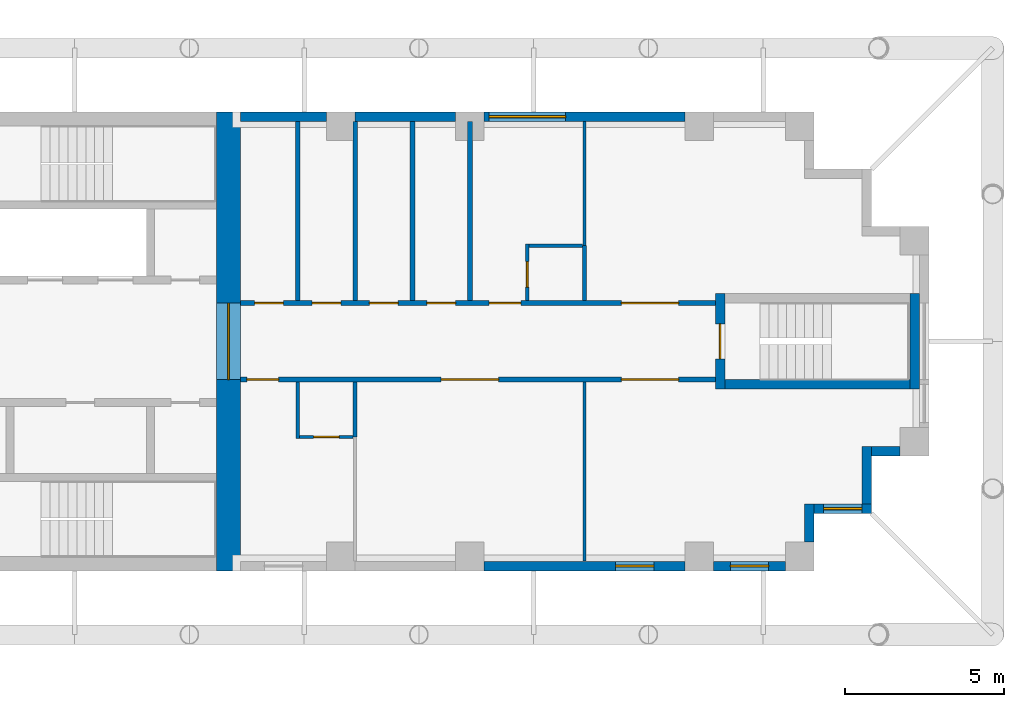
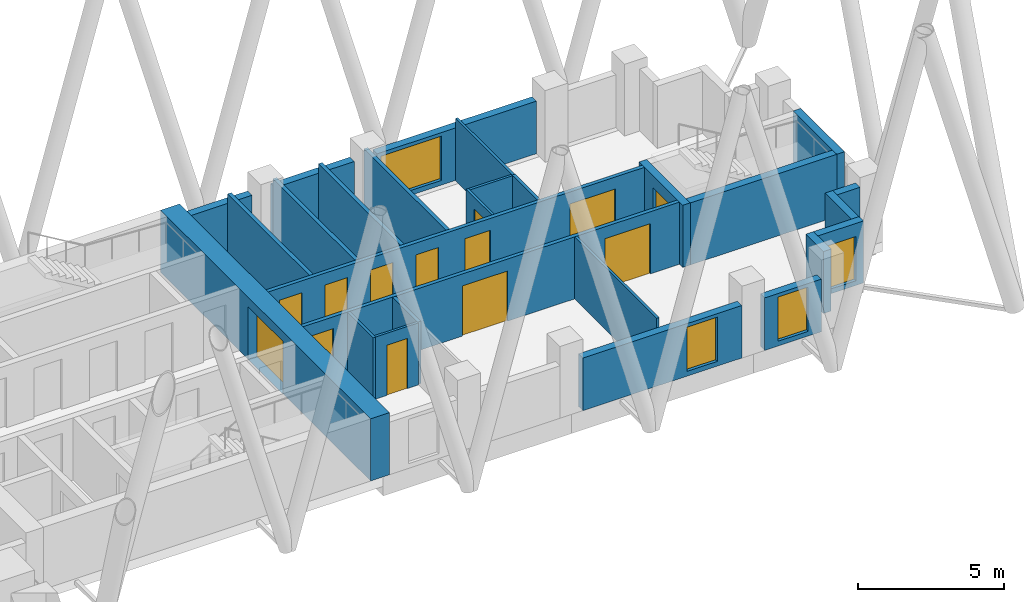
# One storey, part 9 of 13: 27 walls, 13 doors, 4 windows, 17 openings.
"""IFC4 building model written with IfcOpenShell, lengths in metres."""

from ifc_helpers import new_model, si_unit, direction, frame, frame_2d, origin, place, context, subcontext, project, spatial, rectangle, extrude, material, layer, layer_set, type_object, element, fill, save


model = new_model("IFC4")

# Units and contexts
model_context = context("Model", 3, precision=1e-05, world=origin(), true_north=direction((0.0, 1.0)))
body_context = subcontext(model_context, "Body", "Model", "MODEL_VIEW")
ifc_project = project(units=[si_unit("LENGTHUNIT", "METRE"), si_unit("AREAUNIT", "SQUARE_METRE"), si_unit("VOLUMEUNIT", "CUBIC_METRE"), si_unit("PLANEANGLEUNIT", "RADIAN"), si_unit("MASSUNIT", "GRAM", prefix="KILO")], contexts=[model_context])

# Site, building, storey
site_placement = place(None, origin())
site = spatial("IfcSite", under=ifc_project, at=site_placement, CompositionType="ELEMENT")
building_placement = place(site_placement, origin())
building = spatial("IfcBuilding", under=site, at=building_placement, Name="Fustian Cross Tower", CompositionType="ELEMENT")
storey_placement = place(building_placement, frame((0.0, 0.0, 153.300048828125)))
storey = spatial("IfcBuildingStorey", under=building, at=storey_placement, Name="L48", CompositionType="ELEMENT", Elevation=153.300048828125)

# Wall, openings, doors
ifc_material_1 = material(Name="Plasterboard on steel stud", Category="steel")
ifc_layer_1 = layer(ifc_material_1, 0.14990234375)
ifc_layer_set_1 = layer_set([ifc_layer_1], Name="Plasterboard on steel stud")
wall_type_1 = type_object("IfcWallType", Name="COMPARTMENT WALL 150 EI 60", PredefinedType="PARTITIONING", material=ifc_layer_set_1)
wall_1_placement = place(storey_placement, frame((21.60009765625, -1.199951171875, 0.0), z_axis=(0.0, 0.0, 1.0), x_axis=(1.0, 0.0, 0.0)))
wall_1 = element("IfcWall", 1, at=wall_1_placement, inside=storey, type_object=wall_type_1, Name="Partition 55", PredefinedType="PARTITIONING", context=body_context, shape_type="SweptSolid", body=[
    extrude(rectangle(XDim=14.89990234375, YDim=0.14990234375, at=frame_2d((7.449951171875, 0.0))), origin(), (0.0, 0.0, 1.0), 2.599853515625),
])
opening_1_placement = place(wall_1_placement, frame((0.199951171875, 0.0, 0.0)))
opening_1 = element("IfcOpeningElement", 2, at=opening_1_placement, cuts=wall_1, Name="Opening D21014", PredefinedType="OPENING", context=body_context, shape_type="SweptSolid", body=[
    extrude(rectangle(XDim=1.0, YDim=2.10009765625, at=frame_2d((0.5, 1.050048828125))), frame((0.0, 0.0849609375, 0.0), z_axis=(0.0, -1.0, 0.0), x_axis=(1.0, 0.0, 0.0)), (0.0, 0.0, 1.0), 0.169921875),
])
opening_2_placement = place(wall_1_placement, frame((6.300048828125, 0.0, 0.0)))
opening_2 = element("IfcOpeningElement", 3, at=opening_2_placement, cuts=wall_1, Name="Opening D21015", PredefinedType="OPENING", context=body_context, shape_type="SweptSolid", body=[
    extrude(rectangle(XDim=1.800048828125, YDim=2.10009765625, at=frame_2d((0.89990234375, 1.050048828125))), frame((0.0, 0.0849609375, 0.0), z_axis=(0.0, -1.0, 0.0), x_axis=(1.0, 0.0, 0.0)), (0.0, 0.0, 1.0), 0.169921875),
])
opening_3_placement = place(wall_1_placement, frame((11.949951171875, 0.0, 0.0)))
opening_3 = element("IfcOpeningElement", 4, at=opening_3_placement, cuts=wall_1, Name="Opening D21016", PredefinedType="OPENING", context=body_context, shape_type="SweptSolid", body=[
    extrude(rectangle(XDim=1.800048828125, YDim=2.10009765625, at=frame_2d((0.89990234375, 1.050048828125))), frame((0.0, 0.0849609375, 0.0), z_axis=(0.0, -1.0, 0.0), x_axis=(1.0, 0.0, 0.0)), (0.0, 0.0, 1.0), 0.169921875),
])
ifc_material_2 = material(Name="Timber fire door set", Category="wood")
door_type_1 = type_object("IfcDoorType", Name="FIRE DOUBLE DOOR 1800 FD30S", OperationType="DOUBLE_DOOR_DOUBLE_SWING", PredefinedType="DOOR", material=ifc_material_2)
door_1_placement = place(opening_2_placement, origin())
door_1 = element("IfcDoor", 5, at=door_1_placement, inside=storey, type_object=door_type_1, Name="Door D21015", OperationType="DOUBLE_DOOR_DOUBLE_SWING", OverallHeight=2.10009765625, OverallWidth=1.800048828125, PredefinedType="DOOR", context=body_context, shape_type="SweptSolid", body=[
    extrude(rectangle(XDim=1.800048828125, YDim=2.10009765625, at=frame_2d((0.89990234375, 1.050048828125))), frame((0.0, 0.02490234375, 0.0), z_axis=(0.0, -1.0, 0.0), x_axis=(1.0, 0.0, 0.0)), (0.0, 0.0, 1.0), 0.050048828125),
])
fill(opening_2, door_1)
door_2_placement = place(opening_3_placement, origin())
door_2 = element("IfcDoor", 6, at=door_2_placement, inside=storey, type_object=door_type_1, Name="Door D21016", OperationType="DOUBLE_DOOR_DOUBLE_SWING", OverallHeight=2.10009765625, OverallWidth=1.800048828125, PredefinedType="DOOR", context=body_context, shape_type="SweptSolid", body=[
    extrude(rectangle(XDim=1.800048828125, YDim=2.10009765625, at=frame_2d((0.89990234375, 1.050048828125))), frame((0.0, 0.02490234375, 0.0), z_axis=(0.0, -1.0, 0.0), x_axis=(1.0, 0.0, 0.0)), (0.0, 0.0, 1.0), 0.050048828125),
])
fill(opening_3, door_2)
ifc_material_3 = material(Name="Timber fire door set", Category="wood")
door_type_2 = type_object("IfcDoorType", Name="FIRE SWING DOOR 1000 FD30S", OperationType="SINGLE_SWING_LEFT", PredefinedType="DOOR", material=ifc_material_3)
door_3_placement = place(opening_1_placement, frame((1.0, 0.0, 0.0), z_axis=(0.0, 0.0, 1.0), x_axis=(-1.0, 0.0, 0.0)))
door_3 = element("IfcDoor", 7, at=door_3_placement, inside=storey, type_object=door_type_2, Name="Door D21014", OperationType="SINGLE_SWING_RIGHT", OverallHeight=2.10009765625, OverallWidth=1.0, PredefinedType="DOOR", context=body_context, shape_type="SweptSolid", body=[
    extrude(rectangle(XDim=1.0, YDim=2.10009765625, at=frame_2d((0.5, 1.050048828125))), frame((0.0, 0.02490234375, 0.0), z_axis=(0.0, -1.0, 0.0), x_axis=(1.0, 0.0, 0.0)), (0.0, 0.0, 1.0), 0.050048828125),
])
fill(opening_1, door_3)

wall_2_placement = place(storey_placement, frame((21.60009765625, 1.199951171875, 0.0), z_axis=(0.0, 0.0, 1.0), x_axis=(1.0, 0.0, 0.0)))
wall_2 = element("IfcWall", 8, at=wall_2_placement, inside=storey, type_object=wall_type_1, Name="Partition 56", PredefinedType="PARTITIONING", context=body_context, shape_type="SweptSolid", body=[
    extrude(rectangle(XDim=14.89990234375, YDim=0.14990234375, at=frame_2d((7.449951171875, 0.0))), origin(), (0.0, 0.0, 1.0), 2.599853515625),
])
opening_4_placement = place(wall_2_placement, frame((0.449951171875, 0.0, 0.0)))
opening_4 = element("IfcOpeningElement", 9, at=opening_4_placement, cuts=wall_2, Name="Opening D21006", PredefinedType="OPENING", context=body_context, shape_type="SweptSolid", body=[
    extrude(rectangle(XDim=0.89990234375, YDim=2.10009765625, at=frame_2d((0.449951171875, 1.050048828125))), frame((0.0, 0.0849609375, 0.0), z_axis=(0.0, -1.0, 0.0), x_axis=(1.0, 0.0, 0.0)), (0.0, 0.0, 1.0), 0.169921875),
])
opening_5_placement = place(wall_2_placement, frame((2.25, 0.0, 0.0)))
opening_5 = element("IfcOpeningElement", 10, at=opening_5_placement, cuts=wall_2, Name="Opening D21007", PredefinedType="OPENING", context=body_context, shape_type="SweptSolid", body=[
    extrude(rectangle(XDim=0.89990234375, YDim=2.10009765625, at=frame_2d((0.449951171875, 1.050048828125))), frame((0.0, 0.0849609375, 0.0), z_axis=(0.0, -1.0, 0.0), x_axis=(1.0, 0.0, 0.0)), (0.0, 0.0, 1.0), 0.169921875),
])
opening_6_placement = place(wall_2_placement, frame((4.050048828125, 0.0, 0.0)))
opening_6 = element("IfcOpeningElement", 11, at=opening_6_placement, cuts=wall_2, Name="Opening D21008", PredefinedType="OPENING", context=body_context, shape_type="SweptSolid", body=[
    extrude(rectangle(XDim=0.89990234375, YDim=2.10009765625, at=frame_2d((0.449951171875, 1.050048828125))), frame((0.0, 0.0849609375, 0.0), z_axis=(0.0, -1.0, 0.0), x_axis=(1.0, 0.0, 0.0)), (0.0, 0.0, 1.0), 0.169921875),
])
opening_7_placement = place(wall_2_placement, frame((5.85009765625, 0.0, 0.0)))
opening_7 = element("IfcOpeningElement", 12, at=opening_7_placement, cuts=wall_2, Name="Opening D21009", PredefinedType="OPENING", context=body_context, shape_type="SweptSolid", body=[
    extrude(rectangle(XDim=0.89990234375, YDim=2.10009765625, at=frame_2d((0.449951171875, 1.050048828125))), frame((0.0, 0.0849609375, 0.0), z_axis=(0.0, -1.0, 0.0), x_axis=(1.0, 0.0, 0.0)), (0.0, 0.0, 1.0), 0.169921875),
])
opening_8_placement = place(wall_2_placement, frame((7.800048828125, 0.0, 0.0)))
opening_8 = element("IfcOpeningElement", 13, at=opening_8_placement, cuts=wall_2, Name="Opening D21011", PredefinedType="OPENING", context=body_context, shape_type="SweptSolid", body=[
    extrude(rectangle(XDim=1.0, YDim=2.10009765625, at=frame_2d((0.5, 1.050048828125))), frame((0.0, 0.0849609375, 0.0), z_axis=(0.0, -1.0, 0.0), x_axis=(1.0, 0.0, 0.0)), (0.0, 0.0, 1.0), 0.169921875),
])
opening_9_placement = place(wall_2_placement, frame((11.949951171875, 0.0, 0.0)))
opening_9 = element("IfcOpeningElement", 14, at=opening_9_placement, cuts=wall_2, Name="Opening D21012", PredefinedType="OPENING", context=body_context, shape_type="SweptSolid", body=[
    extrude(rectangle(XDim=1.800048828125, YDim=2.10009765625, at=frame_2d((0.89990234375, 1.050048828125))), frame((0.0, 0.0849609375, 0.0), z_axis=(0.0, -1.0, 0.0), x_axis=(1.0, 0.0, 0.0)), (0.0, 0.0, 1.0), 0.169921875),
])
door_4_placement = place(opening_9_placement, frame((1.800048828125, 0.0, 0.0), z_axis=(0.0, 0.0, 1.0), x_axis=(-1.0, 0.0, 0.0)))
door_4 = element("IfcDoor", 15, at=door_4_placement, inside=storey, type_object=door_type_1, Name="Door D21012", OperationType="DOUBLE_DOOR_DOUBLE_SWING", OverallHeight=2.10009765625, OverallWidth=1.800048828125, PredefinedType="DOOR", context=body_context, shape_type="SweptSolid", body=[
    extrude(rectangle(XDim=1.800048828125, YDim=2.10009765625, at=frame_2d((0.89990234375, 1.050048828125))), frame((0.0, 0.02490234375, 0.0), z_axis=(0.0, -1.0, 0.0), x_axis=(1.0, 0.0, 0.0)), (0.0, 0.0, 1.0), 0.050048828125),
])
fill(opening_9, door_4)
door_5_placement = place(opening_8_placement, origin())
door_5 = element("IfcDoor", 16, at=door_5_placement, inside=storey, type_object=door_type_2, Name="Door D21011", OperationType="SINGLE_SWING_RIGHT", OverallHeight=2.10009765625, OverallWidth=1.0, PredefinedType="DOOR", context=body_context, shape_type="SweptSolid", body=[
    extrude(rectangle(XDim=1.0, YDim=2.10009765625, at=frame_2d((0.5, 1.050048828125))), frame((0.0, 0.02490234375, 0.0), z_axis=(0.0, -1.0, 0.0), x_axis=(1.0, 0.0, 0.0)), (0.0, 0.0, 1.0), 0.050048828125),
])
fill(opening_8, door_5)
ifc_material_4 = material(Name="Timber fire door set", Category="wood")
door_type_3 = type_object("IfcDoorType", Name="FIRE SWING DOOR 900 FD30S", OperationType="SINGLE_SWING_LEFT", PredefinedType="DOOR", material=ifc_material_4)
door_6_placement = place(opening_4_placement, origin())
door_6 = element("IfcDoor", 17, at=door_6_placement, inside=storey, type_object=door_type_3, Name="Door D21006", OperationType="SINGLE_SWING_RIGHT", OverallHeight=2.10009765625, OverallWidth=0.89990234375, PredefinedType="DOOR", context=body_context, shape_type="SweptSolid", body=[
    extrude(rectangle(XDim=0.89990234375, YDim=2.10009765625, at=frame_2d((0.449951171875, 1.050048828125))), frame((0.0, 0.02490234375, 0.0), z_axis=(0.0, -1.0, 0.0), x_axis=(1.0, 0.0, 0.0)), (0.0, 0.0, 1.0), 0.050048828125),
])
fill(opening_4, door_6)
door_7_placement = place(opening_5_placement, frame((0.89990234375, 0.0, 0.0), z_axis=(0.0, 0.0, 1.0), x_axis=(-1.0, 0.0, 0.0)))
door_7 = element("IfcDoor", 18, at=door_7_placement, inside=storey, type_object=door_type_3, Name="Door D21007", OperationType="SINGLE_SWING_RIGHT", OverallHeight=2.10009765625, OverallWidth=0.89990234375, PredefinedType="DOOR", context=body_context, shape_type="SweptSolid", body=[
    extrude(rectangle(XDim=0.89990234375, YDim=2.10009765625, at=frame_2d((0.449951171875, 1.050048828125))), frame((0.0, 0.02490234375, 0.0), z_axis=(0.0, -1.0, 0.0), x_axis=(1.0, 0.0, 0.0)), (0.0, 0.0, 1.0), 0.050048828125),
])
fill(opening_5, door_7)
door_8_placement = place(opening_6_placement, frame((0.89990234375, 0.0, 0.0), z_axis=(0.0, 0.0, 1.0), x_axis=(-1.0, 0.0, 0.0)))
door_8 = element("IfcDoor", 19, at=door_8_placement, inside=storey, type_object=door_type_3, Name="Door D21008", OperationType="SINGLE_SWING_RIGHT", OverallHeight=2.10009765625, OverallWidth=0.89990234375, PredefinedType="DOOR", context=body_context, shape_type="SweptSolid", body=[
    extrude(rectangle(XDim=0.89990234375, YDim=2.10009765625, at=frame_2d((0.449951171875, 1.050048828125))), frame((0.0, 0.02490234375, 0.0), z_axis=(0.0, -1.0, 0.0), x_axis=(1.0, 0.0, 0.0)), (0.0, 0.0, 1.0), 0.050048828125),
])
fill(opening_6, door_8)
door_9_placement = place(opening_7_placement, origin())
door_9 = element("IfcDoor", 20, at=door_9_placement, inside=storey, type_object=door_type_3, Name="Door D21009", OperationType="SINGLE_SWING_RIGHT", OverallHeight=2.10009765625, OverallWidth=0.89990234375, PredefinedType="DOOR", context=body_context, shape_type="SweptSolid", body=[
    extrude(rectangle(XDim=0.89990234375, YDim=2.10009765625, at=frame_2d((0.449951171875, 1.050048828125))), frame((0.0, 0.02490234375, 0.0), z_axis=(0.0, -1.0, 0.0), x_axis=(1.0, 0.0, 0.0)), (0.0, 0.0, 1.0), 0.050048828125),
])
fill(opening_7, door_9)

# Walls
for number, where, z_axis, x_axis, name in (
    (21, (23.39990234375, 1.27490234375, 0.0), (0.0, 0.0, 1.0), (0.0, 1.0, 0.0), "Partition 59"),
    (22, (25.199951171875, 1.27490234375, 0.0), (0.0, 0.0, 1.0), (0.0, 1.0, 0.0), "Partition 62"),
    (23, (27.0, 1.27490234375, 0.0), (0.0, 0.0, 1.0), (0.0, 1.0, 0.0), "Partition 63"),
    (24, (28.800048828125, 1.27490234375, 0.0), (0.0, 0.0, 1.0), (0.0, 1.0, 0.0), "Partition 64"),
):
    element("IfcWall", number, at=place(storey_placement, frame(where, z_axis=z_axis, x_axis=x_axis)), inside=storey, type_object=wall_type_1, Name=name, PredefinedType="PARTITIONING", context=body_context, shape_type="SweptSolid", body=[
        extrude(rectangle(XDim=5.625, YDim=0.14990234375, at=frame_2d((2.8125, 0.0))), origin(), (0.0, 0.0, 1.0), 2.599853515625),
    ])

# Wall, opening, door
ifc_material_5 = material(Name="Concrete C60/75", Category="concrete")
ifc_layer_2 = layer(ifc_material_5, 0.75)
ifc_layer_set_2 = layer_set([ifc_layer_2], Name="Concrete C60/75")
wall_type_2 = type_object("IfcWallType", Name="CORE END WALL 750 C60/75", PredefinedType="SHEAR", material=ifc_layer_set_2)
wall_3_placement = place(storey_placement, frame((21.22509765625, -7.199951171875, 0.0), z_axis=(0.0, 0.0, 1.0), x_axis=(0.0, 1.0, 0.0)))
wall_3 = element("IfcWall", 25, at=wall_3_placement, inside=storey, type_object=wall_type_2, Name="Core end wall", PredefinedType="SHEAR", context=body_context, shape_type="SweptSolid", body=[
    extrude(rectangle(XDim=14.39990234375, YDim=0.75, at=frame_2d((7.199951171875, 0.0))), origin(), (0.0, 0.0, 1.0), 2.599853515625),
])
opening_10_placement = place(wall_3_placement, frame((6.0, 0.0, 0.0)))
opening_10 = element("IfcOpeningElement", 26, at=opening_10_placement, cuts=wall_3, Name="Opening CD-16-13", PredefinedType="OPENING", context=body_context, shape_type="SweptSolid", body=[
    extrude(rectangle(XDim=2.39990234375, YDim=2.199951171875, at=frame_2d((1.199951171875, 1.10009765625))), frame((0.0, 0.385009765625, 0.0), z_axis=(0.0, -1.0, 0.0), x_axis=(1.0, 0.0, 0.0)), (0.0, 0.0, 1.0), 0.77001953125),
])
ifc_material_6 = material(Name="Steel", Category="steel")
door_type_4 = type_object("IfcDoorType", Name="FIRE DOOR FD30S DOUBLE 2400X2200", OperationType="DOUBLE_DOOR_DOUBLE_SWING", PredefinedType="DOOR", material=ifc_material_6)
door_10_placement = place(opening_10_placement, origin())
door_10 = element("IfcDoor", 27, at=door_10_placement, inside=storey, type_object=door_type_4, Name="Core door CD-16-13", OperationType="DOUBLE_DOOR_DOUBLE_SWING", OverallHeight=2.199951171875, OverallWidth=2.39990234375, PredefinedType="DOOR", context=body_context, shape_type="SweptSolid", body=[
    extrude(rectangle(XDim=2.39990234375, YDim=2.199951171875, at=frame_2d((1.199951171875, 1.10009765625))), frame((0.0, 0.02490234375, 0.0), z_axis=(0.0, -1.0, 0.0), x_axis=(1.0, 0.0, 0.0)), (0.0, 0.0, 1.0), 0.050048828125),
])
fill(opening_10, door_10)

# Wall
ifc_material_7 = material(Name="Plasterboard on steel stud", Category="steel")
ifc_layer_3 = layer(ifc_material_7, 0.10009765625)
ifc_layer_set_3 = layer_set([ifc_layer_3], Name="Plasterboard on steel stud")
wall_type_3 = type_object("IfcWallType", Name="PARTITION 100 STUD", PredefinedType="PARTITIONING", material=ifc_layer_set_3)
wall_4_placement = place(storey_placement, frame((23.39990234375, -3.050048828125, 0.0), z_axis=(0.0, 0.0, 1.0), x_axis=(0.0, 1.0, 0.0)))
element("IfcWall", 28, at=wall_4_placement, inside=storey, type_object=wall_type_3, Name="Partition 57", PredefinedType="PARTITIONING", context=body_context, shape_type="SweptSolid", body=[
    extrude(rectangle(XDim=1.775146484375, YDim=0.10009765625, at=frame_2d((0.8876953125, 0.0))), origin(), (0.0, 0.0, 1.0), 2.599853515625),
])

# Wall, opening, door
wall_5_placement = place(storey_placement, frame((23.449951171875, -3.0, 0.0), z_axis=(0.0, 0.0, 1.0), x_axis=(1.0, 0.0, 0.0)))
wall_5 = element("IfcWall", 29, at=wall_5_placement, inside=storey, type_object=wall_type_3, Name="Partition 58", PredefinedType="PARTITIONING", context=body_context, shape_type="SweptSolid", body=[
    extrude(rectangle(XDim=1.6875, YDim=0.10009765625, at=frame_2d((0.84375, 0.0))), origin(), (0.0, 0.0, 1.0), 2.599853515625),
])
opening_11_placement = place(wall_5_placement, frame((0.449951171875, 0.0, 0.0)))
opening_11 = element("IfcOpeningElement", 30, at=opening_11_placement, cuts=wall_5, Name="Opening D21013", PredefinedType="OPENING", context=body_context, shape_type="SweptSolid", body=[
    extrude(rectangle(XDim=0.800048828125, YDim=2.10009765625, at=frame_2d((0.39990234375, 1.050048828125))), frame((0.0, 0.06005859375, 0.0), z_axis=(0.0, -1.0, 0.0), x_axis=(1.0, 0.0, 0.0)), (0.0, 0.0, 1.0), 0.1201171875),
])
ifc_material_8 = material(Name="Painted timber", Category="wood")
door_type_5 = type_object("IfcDoorType", Name="SWING DOOR 800", OperationType="SINGLE_SWING_LEFT", PredefinedType="DOOR", material=ifc_material_8)
door_11_placement = place(opening_11_placement, origin())
door_11 = element("IfcDoor", 31, at=door_11_placement, inside=storey, type_object=door_type_5, Name="Door D21013", OperationType="SINGLE_SWING_RIGHT", OverallHeight=2.10009765625, OverallWidth=0.800048828125, PredefinedType="DOOR", context=body_context, shape_type="SweptSolid", body=[
    extrude(rectangle(XDim=0.800048828125, YDim=2.10009765625, at=frame_2d((0.39990234375, 1.050048828125))), frame((0.0, 0.02490234375, 0.0), z_axis=(0.0, -1.0, 0.0), x_axis=(1.0, 0.0, 0.0)), (0.0, 0.0, 1.0), 0.050048828125),
])
fill(opening_11, door_11)

wall_6_placement = place(storey_placement, frame((30.60009765625, 1.27490234375, 0.0), z_axis=(0.0, 0.0, 1.0), x_axis=(0.0, 1.0, 0.0)))
wall_6 = element("IfcWall", 32, at=wall_6_placement, inside=storey, type_object=wall_type_3, Name="Partition 65", PredefinedType="PARTITIONING", context=body_context, shape_type="SweptSolid", body=[
    extrude(rectangle(XDim=1.775146484375, YDim=0.10009765625, at=frame_2d((0.8876953125, 0.0))), origin(), (0.0, 0.0, 1.0), 2.599853515625),
])
opening_12_placement = place(wall_6_placement, frame((0.425048828125, 0.0, 0.0)))
opening_12 = element("IfcOpeningElement", 33, at=opening_12_placement, cuts=wall_6, Name="Opening D21010", PredefinedType="OPENING", context=body_context, shape_type="SweptSolid", body=[
    extrude(rectangle(XDim=0.800048828125, YDim=2.10009765625, at=frame_2d((0.39990234375, 1.050048828125))), frame((0.0, 0.06005859375, 0.0), z_axis=(0.0, -1.0, 0.0), x_axis=(1.0, 0.0, 0.0)), (0.0, 0.0, 1.0), 0.1201171875),
])
door_12_placement = place(opening_12_placement, frame((0.800048828125, 0.0, 0.0), z_axis=(0.0, 0.0, 1.0), x_axis=(-1.0, 0.0, 0.0)))
door_12 = element("IfcDoor", 34, at=door_12_placement, inside=storey, type_object=door_type_5, Name="Door D21010", OperationType="SINGLE_SWING_LEFT", OverallHeight=2.10009765625, OverallWidth=0.800048828125, PredefinedType="DOOR", context=body_context, shape_type="SweptSolid", body=[
    extrude(rectangle(XDim=0.800048828125, YDim=2.10009765625, at=frame_2d((0.39990234375, 1.050048828125))), frame((0.0, 0.02490234375, 0.0), z_axis=(0.0, -1.0, 0.0), x_axis=(1.0, 0.0, 0.0)), (0.0, 0.0, 1.0), 0.050048828125),
])
fill(opening_12, door_12)

# Walls
wall_7_placement = place(storey_placement, frame((30.64990234375, 3.0, 0.0), z_axis=(0.0, 0.0, 1.0), x_axis=(1.0, 0.0, 0.0)))
element("IfcWall", 35, at=wall_7_placement, inside=storey, type_object=wall_type_3, Name="Partition 66", PredefinedType="PARTITIONING", context=body_context, shape_type="SweptSolid", body=[
    extrude(rectangle(XDim=1.6875, YDim=0.10009765625, at=frame_2d((0.84375, 0.0))), origin(), (0.0, 0.0, 1.0), 2.599853515625),
])
wall_8_placement = place(storey_placement, frame((32.39990234375, -6.89990234375, 0.0), z_axis=(0.0, 0.0, 1.0), x_axis=(0.0, 1.0, 0.0)))
element("IfcWall", 36, at=wall_8_placement, inside=storey, type_object=wall_type_3, Name="Partition 67", PredefinedType="PARTITIONING", context=body_context, shape_type="SweptSolid", body=[
    extrude(rectangle(XDim=5.625, YDim=0.10009765625, at=frame_2d((2.8125, 0.0))), origin(), (0.0, 0.0, 1.0), 2.599853515625),
])
wall_9_placement = place(storey_placement, frame((32.39990234375, 3.0, 0.0), z_axis=(0.0, 0.0, 1.0), x_axis=(0.0, 1.0, 0.0)))
element("IfcWall", 37, at=wall_9_placement, inside=storey, type_object=wall_type_3, Name="Partition 69", PredefinedType="PARTITIONING", context=body_context, shape_type="SweptSolid", body=[
    extrude(rectangle(XDim=3.89990234375, YDim=0.10009765625, at=frame_2d((1.949951171875, 0.0))), origin(), (0.0, 0.0, 1.0), 2.599853515625),
])

# Wall, opening, door
ifc_material_9 = material(Name="Concrete C50/60", Category="concrete")
ifc_layer_4 = layer(ifc_material_9, 0.300048828125)
ifc_layer_set_4 = layer_set([ifc_layer_4], Name="Concrete C50/60")
wall_type_4 = type_object("IfcWallType", Name="STAIR ENCLOSURE WALL 300 C50/60", PredefinedType="SHEAR", material=ifc_layer_set_4)
wall_10_placement = place(storey_placement, frame((36.64990234375, -1.5, 0.0), z_axis=(0.0, 0.0, 1.0), x_axis=(0.0, 1.0, 0.0)))
wall_10 = element("IfcWall", 38, at=wall_10_placement, inside=storey, type_object=wall_type_4, Name="Stair enclosure wall", PredefinedType="SHEAR", context=body_context, shape_type="SweptSolid", body=[
    extrude(rectangle(XDim=3.0, YDim=0.300048828125, at=frame_2d((1.5, 0.0))), origin(), (0.0, 0.0, 1.0), 2.599853515625),
])
opening_13_placement = place(wall_10_placement, frame((0.949951171875, 0.0, 0.0)))
opening_13 = element("IfcOpeningElement", 39, at=opening_13_placement, cuts=wall_10, Name="Opening CD-16-35", PredefinedType="OPENING", context=body_context, shape_type="SweptSolid", body=[
    extrude(rectangle(XDim=1.10009765625, YDim=2.10009765625, at=frame_2d((0.550048828125, 1.050048828125))), frame((0.0, 0.159912109375, 0.0), z_axis=(0.0, -1.0, 0.0), x_axis=(1.0, 0.0, 0.0)), (0.0, 0.0, 1.0), 0.320068359375),
])
ifc_material_10 = material(Name="Steel", Category="steel")
door_type_6 = type_object("IfcDoorType", Name="FIRE DOOR FD60S 1100X2100", OperationType="SINGLE_SWING_LEFT", PredefinedType="DOOR", material=ifc_material_10)
door_13_placement = place(opening_13_placement, frame((1.10009765625, 0.0, 0.0), z_axis=(0.0, 0.0, 1.0), x_axis=(-1.0, 0.0, 0.0)))
door_13 = element("IfcDoor", 40, at=door_13_placement, inside=storey, type_object=door_type_6, Name="Core door CD-16-35", OperationType="SINGLE_SWING_RIGHT", OverallHeight=2.10009765625, OverallWidth=1.10009765625, PredefinedType="DOOR", context=body_context, shape_type="SweptSolid", body=[
    extrude(rectangle(XDim=1.10009765625, YDim=2.10009765625, at=frame_2d((0.550048828125, 1.050048828125))), frame((0.0, 0.02490234375, 0.0), z_axis=(0.0, -1.0, 0.0), x_axis=(1.0, 0.0, 0.0)), (0.0, 0.0, 1.0), 0.050048828125),
])
fill(opening_13, door_13)

# Walls
wall_11_placement = place(storey_placement, frame((42.75, -1.5, 0.0), z_axis=(0.0, 0.0, 1.0), x_axis=(0.0, 1.0, 0.0)))
element("IfcWall", 41, at=wall_11_placement, inside=storey, type_object=wall_type_4, Name="Stair enclosure wall", PredefinedType="SHEAR", context=body_context, shape_type="SweptSolid", body=[
    extrude(rectangle(XDim=3.0, YDim=0.300048828125, at=frame_2d((1.5, 0.0))), origin(), (0.0, 0.0, 1.0), 2.599853515625),
])
wall_12_placement = place(storey_placement, frame((36.800048828125, -1.35009765625, 0.0), z_axis=(0.0, 0.0, 1.0), x_axis=(1.0, 0.0, 0.0)))
element("IfcWall", 42, at=wall_12_placement, inside=storey, type_object=wall_type_4, Name="Stair enclosure wall", PredefinedType="SHEAR", context=body_context, shape_type="SweptSolid", body=[
    extrude(rectangle(XDim=5.800048828125, YDim=0.300048828125, at=frame_2d((2.89990234375, 0.0))), origin(), (0.0, 0.0, 1.0), 2.599853515625),
])
ifc_material_11 = material(Name="Plasterboard on steel stud", Category="steel")
ifc_layer_5 = layer(ifc_material_11, 0.125)
ifc_layer_set_5 = layer_set([ifc_layer_5], Name="Plasterboard on steel stud")
wall_type_5 = type_object("IfcWallType", Name="WET WALL 125 STUD", PredefinedType="PARTITIONING", material=ifc_layer_set_5)
for number, where, z_axis, x_axis, name in (
    (43, (25.199951171875, -3.0, 0.0), (0.0, 0.0, 1.0), (0.0, 1.0, 0.0), "Partition 61"),
    (44, (32.39990234375, 1.27490234375, 0.0), (0.0, 0.0, 1.0), (0.0, 1.0, 0.0), "Partition 68"),
):
    element("IfcWall", number, at=place(storey_placement, frame(where, z_axis=z_axis, x_axis=x_axis)), inside=storey, type_object=wall_type_5, Name=name, PredefinedType="PARTITIONING", context=body_context, shape_type="SweptSolid", body=[
        extrude(rectangle(XDim=1.72509765625, YDim=0.125, at=frame_2d((0.862548828125, 0.0))), origin(), (0.0, 0.0, 1.0), 2.599853515625),
    ])

# Wall, opening, window
ifc_material_12 = material(Name="Dark aluminium cladding on insulated backing wall", Category="aluminium")
ifc_layer_6 = layer(ifc_material_12, 0.300048828125)
ifc_layer_set_6 = layer_set([ifc_layer_6], Name="Dark aluminium cladding on insulated backing wall")
wall_type_6 = type_object("IfcWallType", Name="XW1 EXTERNAL WALL 300", PredefinedType="SOLIDWALL", material=ifc_layer_set_6)
wall_13_placement = place(storey_placement, frame((29.25, -7.050048828125, 0.0), z_axis=(0.0, 0.0, 1.0), x_axis=(1.0, 0.0, 0.0)))
wall_13 = element("IfcWall", 45, at=wall_13_placement, inside=storey, type_object=wall_type_6, Name="External wall", PredefinedType="SOLIDWALL", context=body_context, shape_type="SweptSolid", body=[
    extrude(rectangle(XDim=6.300048828125, YDim=0.300048828125, at=frame_2d((3.14990234375, 0.0))), origin(), (0.0, 0.0, 1.0), 2.199951171875),
])
opening_14_placement = place(wall_13_placement, frame((4.125, 0.0, 0.199951171875)))
opening_14 = element("IfcOpeningElement", 46, at=opening_14_placement, cuts=wall_13, Name="Opening WN3", PredefinedType="OPENING", context=body_context, shape_type="SweptSolid", body=[
    extrude(rectangle(XDim=1.199951171875, YDim=1.85009765625, at=frame_2d((0.60009765625, 0.925048828125))), frame((0.0, 0.159912109375, 0.0), z_axis=(0.0, -1.0, 0.0), x_axis=(1.0, 0.0, 0.0)), (0.0, 0.0, 1.0), 0.320068359375),
])
ifc_material_13 = material(Name="Dark anodised aluminium and double glazing", Category="aluminium")
window_type_1 = type_object("IfcWindowType", Name="WN3 WINDOW 1200X1850", PartitioningType="SINGLE_PANEL", PredefinedType="WINDOW", material=ifc_material_13)
window_1_placement = place(opening_14_placement, origin())
window_1 = element("IfcWindow", 47, at=window_1_placement, inside=storey, type_object=window_type_1, Name="Window", OverallHeight=1.85009765625, OverallWidth=1.199951171875, PartitioningType="SINGLE_PANEL", PredefinedType="WINDOW", context=body_context, shape_type="SweptSolid", body=[
    extrude(rectangle(XDim=1.199951171875, YDim=1.85009765625, at=frame_2d((0.60009765625, 0.925048828125))), frame((0.0, 0.030029296875, 0.0), z_axis=(0.0, -1.0, 0.0), x_axis=(1.0, 0.0, 0.0)), (0.0, 0.0, 1.0), 0.06005859375),
])
fill(opening_14, window_1)

wall_14_placement = place(storey_placement, frame((36.449951171875, -7.050048828125, 0.0), z_axis=(0.0, 0.0, 1.0), x_axis=(1.0, 0.0, 0.0)))
wall_14 = element("IfcWall", 48, at=wall_14_placement, inside=storey, type_object=wall_type_6, Name="External wall", PredefinedType="SOLIDWALL", context=body_context, shape_type="SweptSolid", body=[
    extrude(rectangle(XDim=2.25, YDim=0.300048828125, at=frame_2d((1.125, 0.0))), origin(), (0.0, 0.0, 1.0), 2.199951171875),
])
opening_15_placement = place(wall_14_placement, frame((0.52490234375, 0.0, 0.199951171875)))
opening_15 = element("IfcOpeningElement", 49, at=opening_15_placement, cuts=wall_14, Name="Opening WN3", PredefinedType="OPENING", context=body_context, shape_type="SweptSolid", body=[
    extrude(rectangle(XDim=1.199951171875, YDim=1.85009765625, at=frame_2d((0.60009765625, 0.925048828125))), frame((0.0, 0.159912109375, 0.0), z_axis=(0.0, -1.0, 0.0), x_axis=(1.0, 0.0, 0.0)), (0.0, 0.0, 1.0), 0.320068359375),
])
window_2_placement = place(opening_15_placement, origin())
window_2 = element("IfcWindow", 50, at=window_2_placement, inside=storey, type_object=window_type_1, Name="Window", OverallHeight=1.85009765625, OverallWidth=1.199951171875, PartitioningType="SINGLE_PANEL", PredefinedType="WINDOW", context=body_context, shape_type="SweptSolid", body=[
    extrude(rectangle(XDim=1.199951171875, YDim=1.85009765625, at=frame_2d((0.60009765625, 0.925048828125))), frame((0.0, 0.030029296875, 0.0), z_axis=(0.0, -1.0, 0.0), x_axis=(1.0, 0.0, 0.0)), (0.0, 0.0, 1.0), 0.06005859375),
])
fill(opening_15, window_2)

# Wall
wall_15_placement = place(storey_placement, frame((39.449951171875, -6.300048828125, 0.0), z_axis=(0.0, 0.0, 1.0), x_axis=(0.0, 1.0, 0.0)))
element("IfcWall", 51, at=wall_15_placement, inside=storey, type_object=wall_type_6, Name="External wall", PredefinedType="SOLIDWALL", context=body_context, shape_type="SweptSolid", body=[
    extrude(rectangle(XDim=1.199951171875, YDim=0.300048828125, at=frame_2d((0.60009765625, 0.0))), origin(), (0.0, 0.0, 1.0), 2.599853515625),
])

# Wall, opening, window
wall_16_placement = place(storey_placement, frame((39.60009765625, -5.25, 0.0), z_axis=(0.0, 0.0, 1.0), x_axis=(1.0, 0.0, 0.0)))
wall_16 = element("IfcWall", 52, at=wall_16_placement, inside=storey, type_object=wall_type_6, Name="External wall", PredefinedType="SOLIDWALL", context=body_context, shape_type="SweptSolid", body=[
    extrude(rectangle(XDim=1.7998046875, YDim=0.300048828125, at=frame_2d((0.89990234375, 0.0))), origin(), (0.0, 0.0, 1.0), 2.599853515625),
])
opening_16_placement = place(wall_16_placement, frame((0.300048828125, 0.0, 0.199951171875)))
opening_16 = element("IfcOpeningElement", 53, at=opening_16_placement, cuts=wall_16, Name="Opening WN3", PredefinedType="OPENING", context=body_context, shape_type="SweptSolid", body=[
    extrude(rectangle(XDim=1.199951171875, YDim=1.85009765625, at=frame_2d((0.60009765625, 0.925048828125))), frame((0.0, 0.159912109375, 0.0), z_axis=(0.0, -1.0, 0.0), x_axis=(1.0, 0.0, 0.0)), (0.0, 0.0, 1.0), 0.320068359375),
])
window_3_placement = place(opening_16_placement, origin())
window_3 = element("IfcWindow", 54, at=window_3_placement, inside=storey, type_object=window_type_1, Name="Window", OverallHeight=1.85009765625, OverallWidth=1.199951171875, PartitioningType="SINGLE_PANEL", PredefinedType="WINDOW", context=body_context, shape_type="SweptSolid", body=[
    extrude(rectangle(XDim=1.199951171875, YDim=1.85009765625, at=frame_2d((0.60009765625, 0.925048828125))), frame((0.0, 0.030029296875, 0.0), z_axis=(0.0, -1.0, 0.0), x_axis=(1.0, 0.0, 0.0)), (0.0, 0.0, 1.0), 0.06005859375),
])
fill(opening_16, window_3)

# Walls
wall_17_placement = place(storey_placement, frame((41.25, -5.10009765625, 0.0), z_axis=(0.0, 0.0, 1.0), x_axis=(0.0, 1.0, 0.0)))
element("IfcWall", 55, at=wall_17_placement, inside=storey, type_object=wall_type_6, Name="External wall", PredefinedType="SOLIDWALL", context=body_context, shape_type="SweptSolid", body=[
    extrude(rectangle(XDim=1.800048828125, YDim=0.300048828125, at=frame_2d((0.89990234375, 0.0))), origin(), (0.0, 0.0, 1.0), 2.599853515625),
])
wall_18_placement = place(storey_placement, frame((41.39990234375, -3.449951171875, 0.0), z_axis=(0.0, 0.0, 1.0), x_axis=(1.0, 0.0, 0.0)))
element("IfcWall", 56, at=wall_18_placement, inside=storey, type_object=wall_type_6, Name="External wall", PredefinedType="SOLIDWALL", context=body_context, shape_type="SweptSolid", body=[
    extrude(rectangle(XDim=0.900146484375, YDim=0.300048828125, at=frame_2d((0.4501953125, 0.0))), origin(), (0.0, 0.0, 1.0), 2.599853515625),
])

# Wall, opening, window
wall_19_placement = place(storey_placement, frame((35.550048828125, 7.050048828125, 0.0), z_axis=(0.0, 0.0, 1.0), x_axis=(-1.0, 0.0, 0.0)))
wall_19 = element("IfcWall", 57, at=wall_19_placement, inside=storey, type_object=wall_type_6, Name="External wall", PredefinedType="SOLIDWALL", context=body_context, shape_type="SweptSolid", body=[
    extrude(rectangle(XDim=6.300048828125, YDim=0.300048828125, at=frame_2d((3.14990234375, 0.0))), origin(), (0.0, 0.0, 1.0), 2.199951171875),
])
opening_17_placement = place(wall_19_placement, frame((3.75, 0.0, 0.199951171875)))
opening_17 = element("IfcOpeningElement", 58, at=opening_17_placement, cuts=wall_19, Name="Opening WN1", PredefinedType="OPENING", context=body_context, shape_type="SweptSolid", body=[
    extrude(rectangle(XDim=2.39990234375, YDim=1.85009765625, at=frame_2d((1.199951171875, 0.925048828125))), frame((0.0, 0.159912109375, 0.0), z_axis=(0.0, -1.0, 0.0), x_axis=(1.0, 0.0, 0.0)), (0.0, 0.0, 1.0), 0.320068359375),
])
ifc_material_14 = material(Name="Dark anodised aluminium and double glazing", Category="aluminium")
window_type_2 = type_object("IfcWindowType", Name="WN1 WINDOW 2400X1850", PartitioningType="SINGLE_PANEL", PredefinedType="WINDOW", material=ifc_material_14)
window_4_placement = place(opening_17_placement, origin())
window_4 = element("IfcWindow", 59, at=window_4_placement, inside=storey, type_object=window_type_2, Name="Window", OverallHeight=1.85009765625, OverallWidth=2.39990234375, PartitioningType="SINGLE_PANEL", PredefinedType="WINDOW", context=body_context, shape_type="SweptSolid", body=[
    extrude(rectangle(XDim=2.39990234375, YDim=1.85009765625, at=frame_2d((1.199951171875, 0.925048828125))), frame((0.0, 0.030029296875, 0.0), z_axis=(0.0, -1.0, 0.0), x_axis=(1.0, 0.0, 0.0)), (0.0, 0.0, 1.0), 0.06005859375),
])
fill(opening_17, window_4)

# Walls
wall_20_placement = place(storey_placement, frame((28.35009765625, 7.050048828125, 0.0), z_axis=(0.0, 0.0, 1.0), x_axis=(-1.0, 0.0, 0.0)))
element("IfcWall", 60, at=wall_20_placement, inside=storey, type_object=wall_type_6, Name="External wall", PredefinedType="SOLIDWALL", context=body_context, shape_type="SweptSolid", body=[
    extrude(rectangle(XDim=3.150146484375, YDim=0.300048828125, at=frame_2d((1.5751953125, 0.0))), origin(), (0.0, 0.0, 1.0), 2.199951171875),
])
wall_21_placement = place(storey_placement, frame((24.300048828125, 7.050048828125, 0.0), z_axis=(0.0, 0.0, 1.0), x_axis=(-1.0, 0.0, 0.0)))
element("IfcWall", 61, at=wall_21_placement, inside=storey, type_object=wall_type_6, Name="External wall", PredefinedType="SOLIDWALL", context=body_context, shape_type="SweptSolid", body=[
    extrude(rectangle(XDim=2.699951171875, YDim=0.300048828125, at=frame_2d((1.35009765625, 0.0))), origin(), (0.0, 0.0, 1.0), 2.199951171875),
])

save(model, "model.ifc")
